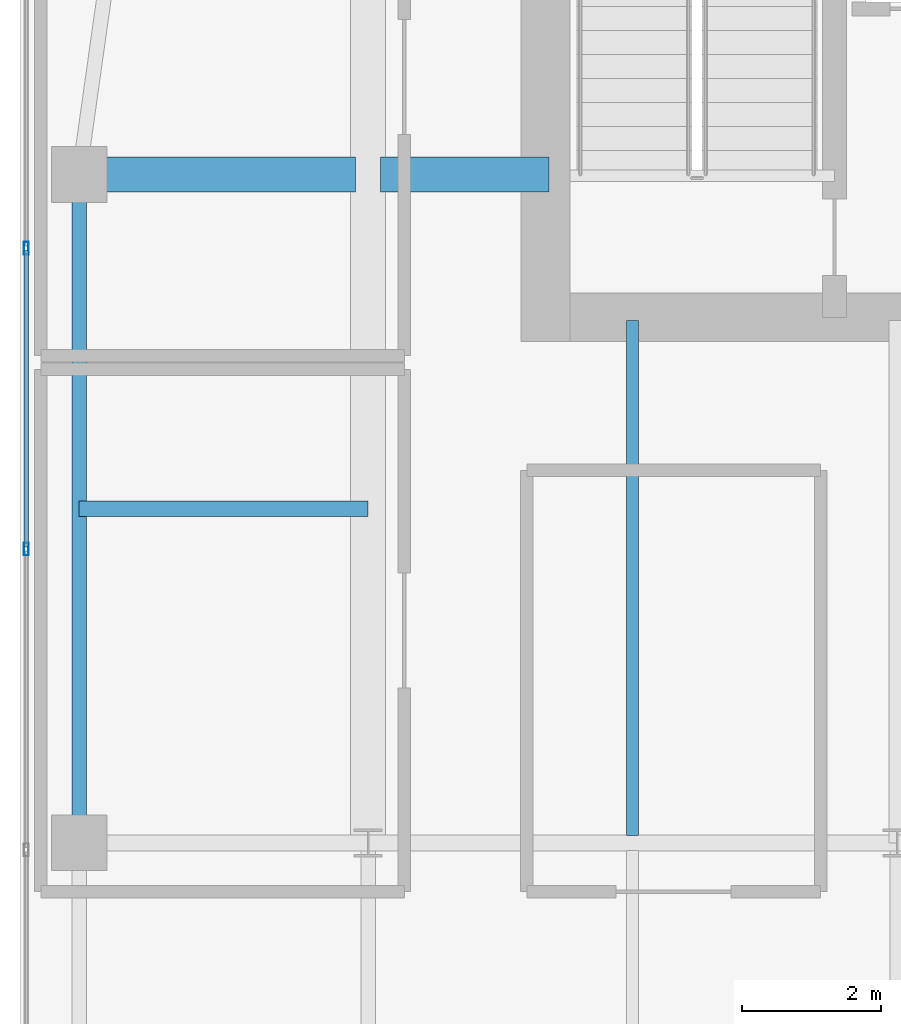
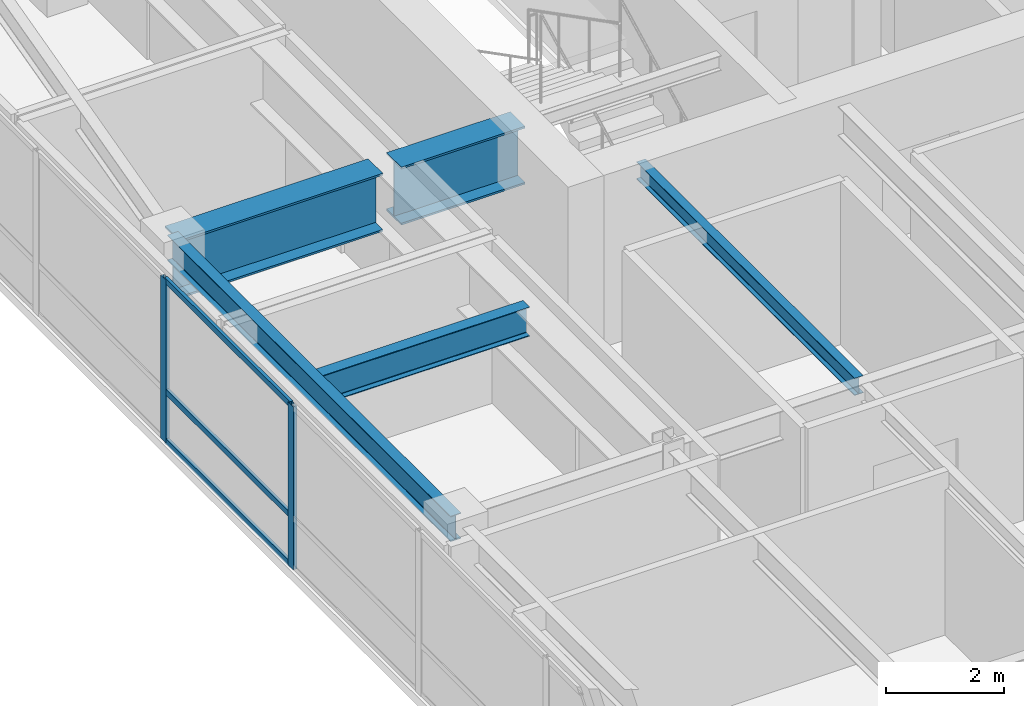
# One storey, part 11 of 24: 5 beams, 5 members, 1 element without a shape of its own.
"""IFC4 building model written with IfcOpenShell, lengths in metres."""

from ifc_helpers import new_model, si_unit, direction, frame, origin, origin_2d, place, context, subcontext, project, spatial, hollow_rectangle, i_section, extrude, source, transform, mapped, material, layer, layer_set, material_profile, profile_set, type_object, type_shapes, element, aggregate, save


model = new_model("IFC4")

# Units and contexts
model_context = context("Model", 3, precision=1e-05, world=origin(), true_north=direction((0.0, 1.0)))
body_context = subcontext(model_context, "Body", "Model", "MODEL_VIEW")
ifc_project = project(units=[si_unit("LENGTHUNIT", "METRE"), si_unit("AREAUNIT", "SQUARE_METRE"), si_unit("VOLUMEUNIT", "CUBIC_METRE"), si_unit("PLANEANGLEUNIT", "RADIAN"), si_unit("MASSUNIT", "GRAM", prefix="KILO")], contexts=[model_context])

# Site, building, storey
site_placement = place(None, origin())
site = spatial("IfcSite", under=ifc_project, at=site_placement, CompositionType="ELEMENT")
building_placement = place(site_placement, origin())
building = spatial("IfcBuilding", under=site, at=building_placement, Name="Tolvann Quenvar Hotel", CompositionType="ELEMENT")
storey_placement = place(building_placement, frame((0.0, 0.0, 194.64990234375)))
storey = spatial("IfcBuildingStorey", under=building, at=storey_placement, Name="L51", CompositionType="ELEMENT", Elevation=194.64990234375)

# Beams
ifc_material_1 = material(Name="Steel Grade 350", Category="steel")
ifc_material_profile_1 = material_profile(ifc_material_1, i_section(OverallWidth=0.208984375, OverallDepth=0.528076171875, WebThickness=0.009521484375, FlangeThickness=0.01318359375, FilletRadius=0.013916015625, at=origin_2d()), Name="530UB82")
ifc_profile_set_1 = profile_set([ifc_material_profile_1], Name="Steel Grade 350")
beam_type_1 = type_object("IfcBeamType", Name="BM_SPAND_530UB82", PredefinedType="SPANDREL", material=ifc_profile_set_1)
shared_shape_1 = source(origin(), body_context, "Body", "SweptSolid", [
    extrude(i_section(OverallWidth=0.208984375, OverallDepth=0.528076171875, WebThickness=0.009521484375, FlangeThickness=0.01318359375, FilletRadius=0.013916015625, at=origin_2d()), origin(), (0.0, 0.0, 1.0), 9.60009765625),
])
type_shapes(beam_type_1, [shared_shape_1])
beam_1_placement = place(storey_placement, frame((3.449951171875, 24.39990234375, 3.106201171875), z_axis=(0.0, 1.0, 0.0), x_axis=(-1.0, 0.0, 0.0)))
element("IfcBeam", 1, at=beam_1_placement, inside=storey, type_object=beam_type_1, Name="BM-L51-FLK-W1", PredefinedType="SPANDREL", context=body_context, shape_type="MappedRepresentation", body=[
    mapped(shared_shape_1, transform((0.0, 0.0, 0.0), x_axis=(1.0, 0.0, 0.0), y_axis=(0.0, 1.0, 0.0), z_axis=(0.0, 0.0, 1.0), scale=1.0)),
])
ifc_material_profile_2 = material_profile(ifc_material_1, i_section(OverallWidth=0.5, OverallDepth=1.199951171875, WebThickness=0.01611328125, FlangeThickness=0.0400390625, at=origin_2d()), Name="1200WB455")
ifc_profile_set_2 = profile_set([ifc_material_profile_2], Name="Steel Grade 350")
beam_type_2 = type_object("IfcBeamType", Name="BM_TG_1200WB455", PredefinedType="USERDEFINED", material=ifc_profile_set_2)
shared_shape_2 = source(origin(), body_context, "Body", "SweptSolid", [
    extrude(i_section(OverallWidth=0.5, OverallDepth=1.199951171875, WebThickness=0.01611328125, FlangeThickness=0.0400390625, at=origin_2d()), origin(), (0.0, 0.0, 1.0), 2.419921875),
])
beam_2_placement = place(storey_placement, frame((7.780029296875, 34.0, 2.77001953125), z_axis=(1.0, 0.0, 0.0), x_axis=(0.0, 1.0, 0.0)))
element("IfcBeam", 2, at=beam_2_placement, inside=storey, type_object=beam_type_2, Name="BM-L51-CTW-MID2", ObjectType="TRANSFER GIRDER", PredefinedType="USERDEFINED", context=body_context, shape_type="MappedRepresentation", body=[
    mapped(shared_shape_2, transform((0.0, 0.0, 0.0), x_axis=(1.0, 0.0, 0.0), y_axis=(0.0, 1.0, 0.0), z_axis=(0.0, 0.0, 1.0), scale=1.0)),
])
shared_shape_3 = source(origin(), body_context, "Body", "SweptSolid", [
    extrude(i_section(OverallWidth=0.5, OverallDepth=1.199951171875, WebThickness=0.01611328125, FlangeThickness=0.0400390625, at=origin_2d()), origin(), (0.0, 0.0, 1.0), 3.969970703125),
])
type_shapes(beam_type_2, [shared_shape_2, shared_shape_3])
beam_3_placement = place(storey_placement, frame((3.449951171875, 34.0, 2.77001953125), z_axis=(1.0, 0.0, 0.0), x_axis=(0.0, 1.0, 0.0)))
element("IfcBeam", 3, at=beam_3_placement, inside=storey, type_object=beam_type_2, Name="BM-L51-CTW-MID1", ObjectType="TRANSFER GIRDER", PredefinedType="USERDEFINED", context=body_context, shape_type="MappedRepresentation", body=[
    mapped(shared_shape_3, transform((0.0, 0.0, 0.0), x_axis=(1.0, 0.0, 0.0), y_axis=(0.0, 1.0, 0.0), z_axis=(0.0, 0.0, 1.0), scale=1.0)),
])
ifc_material_profile_3 = material_profile(ifc_material_1, i_section(OverallWidth=0.22802734375, OverallDepth=0.60205078125, WebThickness=0.010498046875, FlangeThickness=0.014892578125, FilletRadius=0.013916015625, at=origin_2d()), Name="610UB101")
ifc_profile_set_3 = profile_set([ifc_material_profile_3], Name="Steel Grade 350")
beam_type_3 = type_object("IfcBeamType", Name="BM_GIRD_610UB101", PredefinedType="BEAM", material=ifc_profile_set_3)
shared_shape_4 = source(origin(), body_context, "Body", "SweptSolid", [
    extrude(i_section(OverallWidth=0.22802734375, OverallDepth=0.60205078125, WebThickness=0.010498046875, FlangeThickness=0.014892578125, FilletRadius=0.013916015625, at=origin_2d()), origin(), (0.0, 0.0, 1.0), 4.150146484375),
])
type_shapes(beam_type_3, [shared_shape_4])
beam_4_placement = place(storey_placement, frame((3.449951171875, 29.199951171875, 3.069091796875), z_axis=(1.0, 0.0, 0.0), x_axis=(0.0, 1.0, 0.0)))
element("IfcBeam", 4, at=beam_4_placement, inside=storey, type_object=beam_type_3, Name="BM-L51-EW-BC29", PredefinedType="BEAM", context=body_context, shape_type="MappedRepresentation", body=[
    mapped(shared_shape_4, transform((0.0, 0.0, 0.0), x_axis=(1.0, 0.0, 0.0), y_axis=(0.0, 1.0, 0.0), z_axis=(0.0, 0.0, 1.0), scale=1.0)),
])
ifc_material_profile_4 = material_profile(ifc_material_1, i_section(OverallWidth=0.172119140625, OverallDepth=0.35888671875, WebThickness=0.008056640625, FlangeThickness=0.012939453125, FilletRadius=0.011474609375, at=origin_2d()), Name="360UB57")
ifc_profile_set_4 = profile_set([ifc_material_profile_4], Name="Steel Grade 350")
beam_type_4 = type_object("IfcBeamType", Name="BM_JOIST_360UB57", PredefinedType="JOIST", material=ifc_profile_set_4)
shared_shape_5 = source(origin(), body_context, "Body", "SweptSolid", [
    extrude(i_section(OverallWidth=0.172119140625, OverallDepth=0.35888671875, WebThickness=0.008056640625, FlangeThickness=0.012939453125, FilletRadius=0.011474609375, at=origin_2d()), origin(), (0.0, 0.0, 1.0), 7.391845703125),
])
type_shapes(beam_type_4, [shared_shape_5])
beam_5_placement = place(storey_placement, frame((11.39990234375, 24.508056640625, 3.190673828125), z_axis=(0.0, 1.0, 0.0), x_axis=(-1.0, 0.0, 0.0)))
element("IfcBeam", 5, at=beam_5_placement, inside=storey, type_object=beam_type_4, Name="BJ-L51-114-244", PredefinedType="JOIST", context=body_context, shape_type="MappedRepresentation", body=[
    mapped(shared_shape_5, transform((0.0, 0.0, 0.0), x_axis=(1.0, 0.0, 0.0), y_axis=(0.0, 1.0, 0.0), z_axis=(0.0, 0.0, 1.0), scale=1.0)),
])

# Curtain wall, members
ifc_material_2 = material(Name="Thermally broken anodised architectural aluminium 6063-T6 and laminated low-E glass", Category="aluminium")
ifc_layer = layer(ifc_material_2, 0.179931640625)
ifc_layer_set = layer_set([ifc_layer], Name="Thermally broken anodised architectural aluminium 6063-T6 and laminated low-E glass")
curtain_wall_type = type_object("IfcCurtainWallType", Name="CW_SYS_BAND_04", PredefinedType="USERDEFINED", material=ifc_layer_set)
curtain_wall_placement = place(storey_placement, origin())
curtain_wall = element("IfcCurtainWall", 6, at=curtain_wall_placement, inside=storey, type_object=curtain_wall_type, Name="Curtain Wall CW-BAND-04 (CWR-L51-E23)", ObjectType="UNITISED CURTAIN WALL", PredefinedType="USERDEFINED")
ifc_material_3 = material(Name="Anodised architectural aluminium 6063-T6 framing", Category="aluminium")
ifc_material_profile_5 = material_profile(ifc_material_3, hollow_rectangle(XDim=0.070068359375, YDim=0.179931640625, WallThickness=0.00390625, at=origin_2d()), Name="180x70x4RHS")
ifc_profile_set_5 = profile_set([ifc_material_profile_5], Name="Anodised architectural aluminium 6063-T6 framing")
member_type_1 = type_object("IfcMemberType", Name="CW_MULL_180x70", PredefinedType="MULLION", material=ifc_profile_set_5)
shared_shape_6 = source(origin(), body_context, "Body", "SweptSolid", [
    extrude(hollow_rectangle(XDim=0.070068359375, YDim=0.179931640625, WallThickness=0.00390625, at=origin_2d()), origin(), (0.0, 0.0, 1.0), 3.3701171875),
])
type_shapes(member_type_1, [shared_shape_6])
member_1_placement = place(storey_placement, frame((2.68994140625, 32.94140625, 0.0), z_axis=(0.0, 0.0, 1.0), x_axis=(1.0, 0.0, 0.0)))
member_1 = element("IfcMember", 7, at=member_1_placement, type_object=member_type_1, Name="CW-BAND-04 mullion 3", PredefinedType="MULLION", context=body_context, shape_type="MappedRepresentation", body=[
    mapped(shared_shape_6, transform((0.0, 0.0, 0.0), x_axis=(1.0, 0.0, 0.0), y_axis=(0.0, 1.0, 0.0), z_axis=(0.0, 0.0, 1.0), scale=1.0)),
])
member_2_placement = place(storey_placement, frame((2.68994140625, 28.62060546875, 0.0), z_axis=(0.0, 0.0, 1.0), x_axis=(1.0, 0.0, 0.0)))
member_2 = element("IfcMember", 8, at=member_2_placement, type_object=member_type_1, Name="CW-BAND-04 mullion 4", PredefinedType="MULLION", context=body_context, shape_type="MappedRepresentation", body=[
    mapped(shared_shape_6, transform((0.0, 0.0, 0.0), x_axis=(1.0, 0.0, 0.0), y_axis=(0.0, 1.0, 0.0), z_axis=(0.0, 0.0, 1.0), scale=1.0)),
])
ifc_material_profile_6 = material_profile(ifc_material_3, hollow_rectangle(XDim=0.06005859375, YDim=0.1201171875, WallThickness=0.00341796875, at=origin_2d()), Name="120x60x3.5RHS")
ifc_profile_set_6 = profile_set([ifc_material_profile_6], Name="Anodised architectural aluminium 6063-T6 framing")
member_type_2 = type_object("IfcMemberType", Name="CW_TRAN_120x60", PredefinedType="USERDEFINED", material=ifc_profile_set_6)
shared_shape_7 = source(origin(), body_context, "Body", "SweptSolid", [
    extrude(hollow_rectangle(XDim=0.06005859375, YDim=0.1201171875, WallThickness=0.00341796875, at=origin_2d()), origin(), (0.0, 0.0, 1.0), 4.250732421875),
])
type_shapes(member_type_2, [shared_shape_7])
member_3_placement = place(storey_placement, frame((2.68994140625, 32.906494140625, 0.030029296875), z_axis=(0.0, -1.0, 0.0), x_axis=(1.0, 0.0, 0.0)))
member_3 = element("IfcMember", 9, at=member_3_placement, type_object=member_type_2, Name="CW-BAND-04 transom 3.1", ObjectType="TRANSOM", PredefinedType="USERDEFINED", context=body_context, shape_type="MappedRepresentation", body=[
    mapped(shared_shape_7, transform((0.0, 0.0, 0.0), x_axis=(1.0, 0.0, 0.0), y_axis=(0.0, 1.0, 0.0), z_axis=(0.0, 0.0, 1.0), scale=1.0)),
])
member_4_placement = place(storey_placement, frame((2.68994140625, 32.906494140625, 1.050048828125), z_axis=(0.0, -1.0, 0.0), x_axis=(1.0, 0.0, 0.0)))
member_4 = element("IfcMember", 10, at=member_4_placement, type_object=member_type_2, Name="CW-BAND-04 transom 3.2", ObjectType="TRANSOM", PredefinedType="USERDEFINED", context=body_context, shape_type="MappedRepresentation", body=[
    mapped(shared_shape_7, transform((0.0, 0.0, 0.0), x_axis=(1.0, 0.0, 0.0), y_axis=(0.0, 1.0, 0.0), z_axis=(0.0, 0.0, 1.0), scale=1.0)),
])
member_5_placement = place(storey_placement, frame((2.68994140625, 32.906494140625, 3.340087890625), z_axis=(0.0, -1.0, 0.0), x_axis=(1.0, 0.0, 0.0)))
member_5 = element("IfcMember", 11, at=member_5_placement, type_object=member_type_2, Name="CW-BAND-04 transom 3.3", ObjectType="TRANSOM", PredefinedType="USERDEFINED", context=body_context, shape_type="MappedRepresentation", body=[
    mapped(shared_shape_7, transform((0.0, 0.0, 0.0), x_axis=(1.0, 0.0, 0.0), y_axis=(0.0, 1.0, 0.0), z_axis=(0.0, 0.0, 1.0), scale=1.0)),
])
aggregate(curtain_wall, [member_1, member_2, member_3, member_4, member_5])

save(model, "model.ifc")
